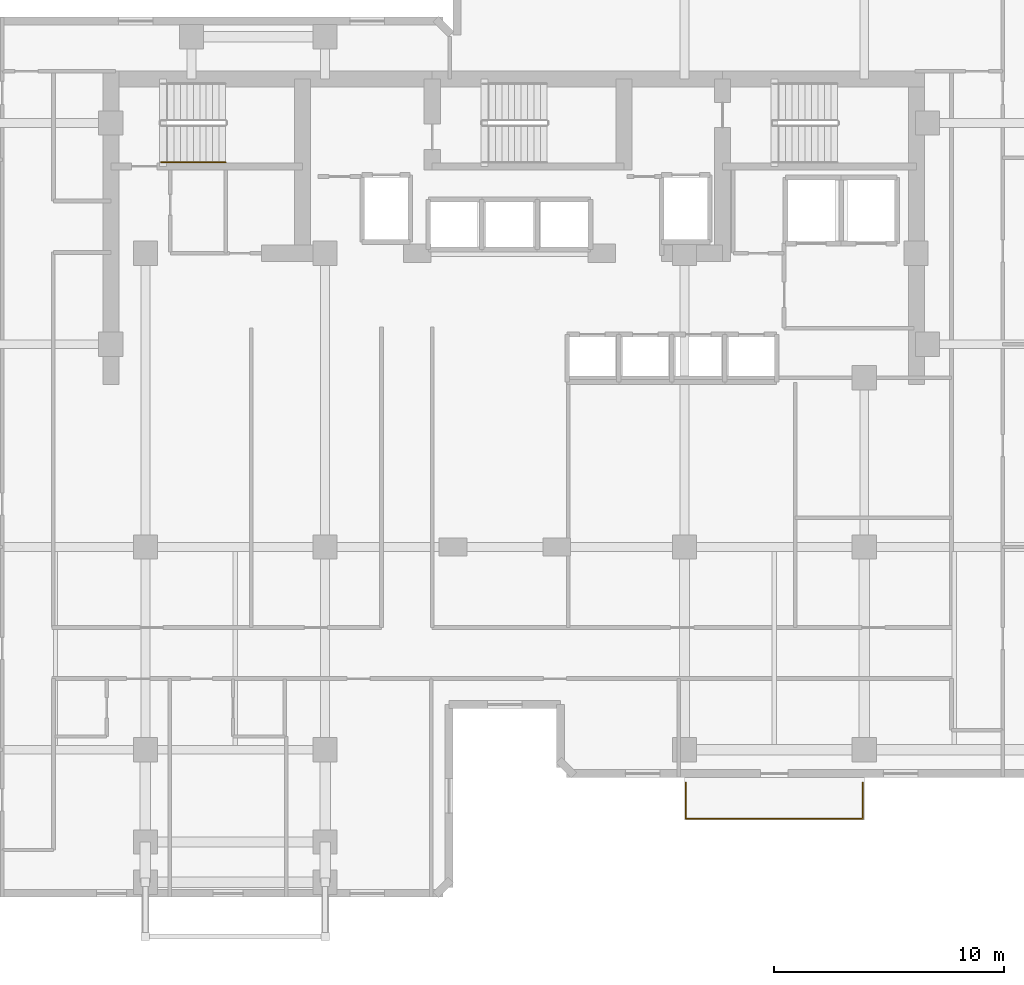
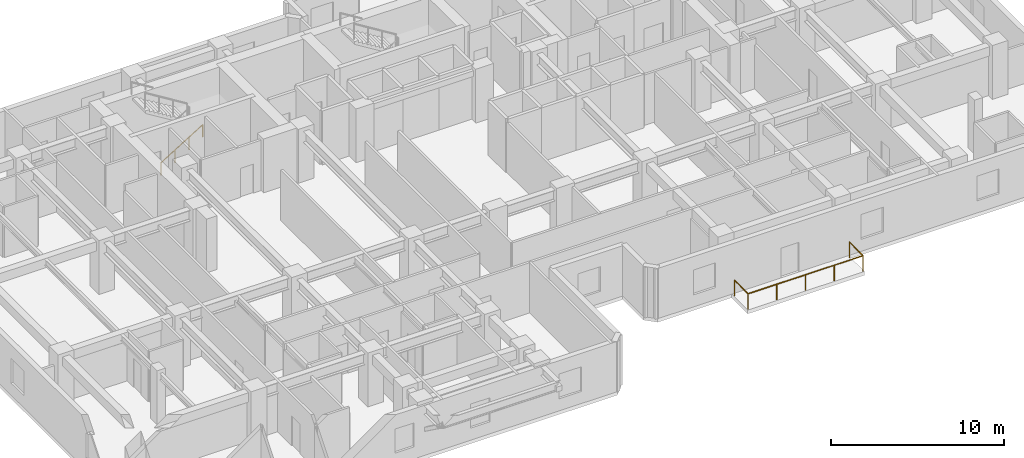
# One storey, part 10 of 11: 3 railings.
"""IFC4 building model written with IfcOpenShell, lengths in metres."""

import ifcopenshell
import ifcopenshell.guid

model = None  # the IFC model being written
_history = None  # IfcOwnerHistory: only IFC2X3 demands one
_inside = {}  # id of a spatial element -> (the spatial element, [elements in it])
_under = {}  # id of a project, library or spatial element -> (it, [spatial elements below it])
_declared = {}  # id of a project -> (the project, [libraries it declares])
_typed = {}  # id of a type object -> (the type object, [elements of that type])
_made_of = {}  # id of a material, layer set ... -> (it, [elements and type objects made of it])


def new_model(schema):
    """Start an empty IFC model of exactly this schema.

    Asked for "IFC4X3", IfcOpenShell would pick the latest addendum, in which some entities
    have other attributes; the version numbers below select the first issue.
    IFC2X3 requires an IfcOwnerHistory on every rooted entity: one is made here for all.
    """
    global model, _history
    if schema == "IFC4X3":
        model = ifcopenshell.file(schema_version=(4, 3, 0, 0))
    else:
        model = ifcopenshell.file(schema=schema)
    _inside.clear()
    _under.clear()
    _declared.clear()
    _typed.clear()
    _made_of.clear()
    _history = None
    if model.schema == "IFC2X3":
        org = make("IfcOrganization", Name="unknown")
        user = make(
            "IfcPersonAndOrganization",
            ThePerson=make("IfcPerson", FamilyName="unknown"),
            TheOrganization=org,
        )
        app = make(
            "IfcApplication",
            ApplicationDeveloper=org,
            Version="unknown",
            ApplicationFullName="unknown",
            ApplicationIdentifier="unknown",
        )
        _history = make(
            "IfcOwnerHistory",
            OwningUser=user,
            OwningApplication=app,
            ChangeAction="ADDED",
            CreationDate=0,
        )
    return model


def make(cls, **values):
    """One entity of the class cls with the attributes given. An attribute that is None is left unset."""
    return model.create_entity(
        cls, **{name: value for name, value in values.items() if value is not None}
    )


def rooted(cls, **values):
    """An entity with a GlobalId (a new one), such as an element, a storey or a relation."""
    return make(cls, GlobalId=ifcopenshell.guid.new(), OwnerHistory=_history, **values)


def si_unit(unit_type, name, prefix=None):
    """IfcSIUnit, for example si_unit("LENGTHUNIT", "METRE", prefix="MILLI")."""
    return make("IfcSIUnit", UnitType=unit_type, Prefix=prefix, Name=name)


def assignment(units):
    """IfcUnitAssignment: the units of a project."""
    return None if units is None else make("IfcUnitAssignment", Units=units)


def point(xyz):
    """IfcCartesianPoint."""
    return None if xyz is None else make("IfcCartesianPoint", Coordinates=xyz)


def direction(xyz):
    """IfcDirection."""
    return None if xyz is None else make("IfcDirection", DirectionRatios=xyz)


def frame(location, z_axis=None, x_axis=None):
    """IfcAxis2Placement3D, a coordinate frame: its origin and axes. An axis left out is left unset."""
    return make(
        "IfcAxis2Placement3D",
        Location=point(location),
        Axis=direction(z_axis),
        RefDirection=direction(x_axis),
    )


def frame_2d(location, x_axis=None):
    """IfcAxis2Placement2D, a coordinate frame in the plane: its origin and x axis."""
    return make(
        "IfcAxis2Placement2D", Location=point(location), RefDirection=direction(x_axis)
    )


def origin():
    """The frame at (0, 0, 0) with its axes left unset."""
    return frame((0.0, 0.0, 0.0))


def origin_2d():
    """The frame at (0, 0) in the plane with its x axis left unset."""
    return frame_2d((0.0, 0.0))


def place(relative_to, where):
    """IfcLocalPlacement: puts the frame where relative to a parent placement (None: the world)."""
    return make(
        "IfcLocalPlacement", PlacementRelTo=relative_to, RelativePlacement=where
    )


def context(
    kind, dimensions, precision=None, world=None, true_north=None, identifier=None
):
    """IfcGeometricRepresentationContext, for example the 3D "Model" context."""
    return make(
        "IfcGeometricRepresentationContext",
        ContextIdentifier=identifier,
        ContextType=kind,
        CoordinateSpaceDimension=dimensions,
        Precision=precision,
        WorldCoordinateSystem=world,
        TrueNorth=true_north,
    )


def subcontext(parent, identifier, kind, view, scale=None):
    """IfcGeometricRepresentationSubContext, for example "Body" below "Model"."""
    return make(
        "IfcGeometricRepresentationSubContext",
        ContextIdentifier=identifier,
        ContextType=kind,
        ParentContext=parent,
        TargetScale=scale,
        TargetView=view,
    )


def project(units=None, contexts=None):
    """IfcProject with its units and contexts."""
    return rooted(
        "IfcProject",
        Name="project",
        RepresentationContexts=contexts,
        UnitsInContext=assignment(units),
    )


def spatial(cls, under=None, at=None, **own):
    """A site, building, storey or space (cls), placed at a placement, below another one or the project."""
    s = rooted(cls, ObjectPlacement=at, **own)
    if under is not None:
        _under.setdefault(under.id(), (under, []))[1].append(s)
    return s


def profile(cls, at=None, kind="AREA", **sizes):
    """A parametric profile (cls). Its sizes go by their IFC names, for example OverallWidth=200.0."""
    return make(cls, ProfileType=kind, Position=at, **sizes)


def circle(**sizes):
    """IfcCircleProfileDef."""
    return profile("IfcCircleProfileDef", **sizes)


def extrude(swept, where, along, depth):
    """IfcExtrudedAreaSolid: the profile swept, set in the frame where, extruded along a direction by depth."""
    return make(
        "IfcExtrudedAreaSolid",
        SweptArea=swept,
        Position=where,
        ExtrudedDirection=direction(along),
        Depth=depth,
    )


def shape(context_of_items, identifier, shape_type, items):
    """IfcShapeRepresentation: the items that make up one representation, for example the "Body"."""
    return make(
        "IfcShapeRepresentation",
        ContextOfItems=context_of_items,
        RepresentationIdentifier=identifier,
        RepresentationType=shape_type,
        Items=items,
    )


def material(Name=None, Category=None):
    """IfcMaterial."""
    return make("IfcMaterial", Name=Name, Category=Category)


def made_of(thing, what):
    """Note that an element or type object is made of a material, layer set ...; save() writes the relation."""
    if what is not None:
        _made_of.setdefault(what.id(), (what, []))[1].append(thing)
    return thing


def type_object(cls, material=None, **own):
    """A type object (cls), such as IfcWallType, which elements share."""
    return made_of(rooted(cls, **own), material)


def element(
    cls,
    number,
    at=None,
    inside=None,
    cuts=None,
    type_object=None,
    material=None,
    context=None,
    identifier="Body",
    shape_type=None,
    held_by="IfcProductDefinitionShape",
    body=None,
    shapes=None,
    **own,
):
    """One element of the class cls, such as IfcWall. Its Tag is "e" and its number.

    at: its placement. inside: the storey or other place that contains it. cuts: it is an
    opening in that element (IfcRelVoidsElement). A single representation is given by context,
    identifier, shape_type and body (its items); several are given by shapes. held_by: the class
    of the entity that holds the representations. save() writes the other relations.
    """
    e = rooted(cls, Tag="e%d" % number, ObjectPlacement=at, **own)
    if body is not None:
        shapes = [shape(context, identifier, shape_type, body)]
    if shapes is not None:
        e.Representation = make(held_by, Representations=shapes)
    if inside is not None:
        _inside.setdefault(inside.id(), (inside, []))[1].append(e)
    if cuts is not None:
        rooted(
            "IfcRelVoidsElement", RelatingBuildingElement=cuts, RelatedOpeningElement=e
        )
    if type_object is not None:
        _typed.setdefault(type_object.id(), (type_object, []))[1].append(e)
    return made_of(e, material)


def aggregate(whole, parts):
    """IfcRelAggregates: a whole, such as a stair, and the parts it consists of."""
    return rooted("IfcRelAggregates", RelatingObject=whole, RelatedObjects=parts)


def save(model, path):
    """Write the relations noted so far, then the file.

    IfcRelAggregates (storeys below a building ...), IfcRelContainedInSpatialStructure (elements
    in a storey), IfcRelDefinesByType, IfcRelAssociatesMaterial and IfcRelDeclares: one each for
    every whole, place, type object, material and project.
    """
    for whole, parts in _under.values():
        aggregate(whole, parts)
    for where, things in _inside.values():
        rooted(
            "IfcRelContainedInSpatialStructure",
            RelatedElements=things,
            RelatingStructure=where,
        )
    for kind, things in _typed.values():
        rooted("IfcRelDefinesByType", RelatedObjects=things, RelatingType=kind)
    for what, things in _made_of.values():
        rooted("IfcRelAssociatesMaterial", RelatedObjects=things, RelatingMaterial=what)
    for by, libraries in _declared.values():
        rooted("IfcRelDeclares", RelatingContext=by, RelatedDefinitions=libraries)
    model.write(path)


model = new_model("IFC4")

# Units and contexts
model_context = context("Model", 3, precision=1e-05, world=origin(), true_north=direction((0.0, 1.0)))
body_context = subcontext(model_context, "Body", "Model", "MODEL_VIEW")
ifc_project = project(units=[si_unit("LENGTHUNIT", "METRE"), si_unit("AREAUNIT", "SQUARE_METRE"), si_unit("VOLUMEUNIT", "CUBIC_METRE"), si_unit("PLANEANGLEUNIT", "RADIAN"), si_unit("MASSUNIT", "GRAM", prefix="KILO")], contexts=[model_context])

# Site, building, storey
site_placement = place(None, origin())
site = spatial("IfcSite", under=ifc_project, at=site_placement, CompositionType="ELEMENT")
building_placement = place(site_placement, origin())
building = spatial("IfcBuilding", under=site, at=building_placement, Name="Kestravale Grand Hotel", CompositionType="ELEMENT")
storey_placement = place(building_placement, frame((0.0, 0.0, 161.199951171875)))
storey = spatial("IfcBuildingStorey", under=building, at=storey_placement, Name="L40", CompositionType="ELEMENT", Elevation=161.199951171875)

# Railings
ifc_material_1 = material(Name="Champagne-bronze stainless steel and laminated glass guard", Category="steel")
railing_type_1 = type_object("IfcRailingType", Name="RL-EXT-1100", PredefinedType="GUARDRAIL", material=ifc_material_1)
railing_1_placement = place(storey_placement, frame((46.860107421875, 8.2099609375, 0.0)))
element("IfcRailing", 1, at=railing_1_placement, inside=storey, type_object=railing_type_1, Name="L40 outdoor terrace guard 1", PredefinedType="GUARDRAIL", context=body_context, shape_type="SweptSolid", body=[
    extrude(circle(Radius=0.02392578125, at=origin_2d()), frame((0.0, 0.0, 1.09619140625), z_axis=(0.0, 1.0, 0.0), x_axis=(-1.0, 0.0, 0.0)), (0.0, 0.0, 1.0), 1.570068359375),
    extrude(circle(Radius=0.02099609375, at=origin_2d()), origin(), (0.0, 0.0, 1.0), 1.072021484375),
    extrude(circle(Radius=0.02099609375, at=origin_2d()), frame((0.0, 1.570068359375, 0.0)), (0.0, 0.0, 1.0), 1.072021484375),
])
railing_2_placement = place(storey_placement, frame((54.5400390625, 9.780029296875, 0.0)))
element("IfcRailing", 2, at=railing_2_placement, inside=storey, type_object=railing_type_1, Name="L40 outdoor terrace guard 2", PredefinedType="GUARDRAIL", context=body_context, shape_type="SweptSolid", body=[
    extrude(circle(Radius=0.02392578125, at=origin_2d()), frame((0.0, 0.0, 1.09619140625), z_axis=(0.0, -1.0, 0.0), x_axis=(1.0, 0.0, 0.0)), (0.0, 0.0, 1.0), 1.570068359375),
    extrude(circle(Radius=0.02392578125, at=origin_2d()), frame((0.0, -1.570068359375, 1.09619140625), z_axis=(-1.0, 0.0, 0.0), x_axis=(0.0, -1.0, 0.0)), (0.0, 0.0, 1.0), 7.679931640625),
    extrude(circle(Radius=0.02099609375, at=origin_2d()), origin(), (0.0, 0.0, 1.0), 1.072021484375),
    extrude(circle(Radius=0.02099609375, at=origin_2d()), frame((0.0, -1.570068359375, 0.0)), (0.0, 0.0, 1.0), 1.072021484375),
    extrude(circle(Radius=0.02099609375, at=origin_2d()), frame((-1.919921875, -1.570068359375, 0.0)), (0.0, 0.0, 1.0), 1.072021484375),
    extrude(circle(Radius=0.02099609375, at=origin_2d()), frame((-3.83984375, -1.570068359375, 0.0)), (0.0, 0.0, 1.0), 1.072021484375),
    extrude(circle(Radius=0.02099609375, at=origin_2d()), frame((-5.760009765625, -1.570068359375, 0.0)), (0.0, 0.0, 1.0), 1.072021484375),
    extrude(circle(Radius=0.02099609375, at=origin_2d()), frame((-7.679931640625, -1.570068359375, 0.0)), (0.0, 0.0, 1.0), 1.072021484375),
])
ifc_material_2 = material(Name="Brushed stainless steel wall handrail", Category="steel")
railing_type_2 = type_object("IfcRailingType", Name="RL-ST-HND900", PredefinedType="HANDRAIL", material=ifc_material_2)
railing_3_placement = place(storey_placement, frame((24.080078125, 36.699951171875, 0.1728515625)))
element("IfcRailing", 3, at=railing_3_placement, inside=storey, type_object=railing_type_2, Name="L40 ST-1 stair handrail 1", PredefinedType="HANDRAIL", context=body_context, shape_type="SweptSolid", body=[
    extrude(circle(Radius=0.02392578125, at=origin_2d()), frame((0.0, 0.0, 0.8759765625), z_axis=(0.851069175582, 0.0, 0.525053576669), x_axis=(0.0, 1.0, 0.0)), (0.0, 0.0, 1.0), 3.289794921875),
    extrude(circle(Radius=0.02099609375, at=origin_2d()), origin(), (0.0, 0.0, 1.0), 0.851806640625),
    extrude(circle(Radius=0.02099609375, at=origin_2d()), frame((0.933349609375, 0.0, 0.57568359375)), (0.0, 0.0, 1.0), 0.851806640625),
    extrude(circle(Radius=0.02099609375, at=origin_2d()), frame((1.866455078125, 0.0, 1.151611328125)), (0.0, 0.0, 1.0), 0.851806640625),
    extrude(circle(Radius=0.02099609375, at=origin_2d()), frame((2.7998046875, 0.0, 1.727294921875)), (0.0, 0.0, 1.0), 0.851806640625),
])

save(model, "model.ifc")
